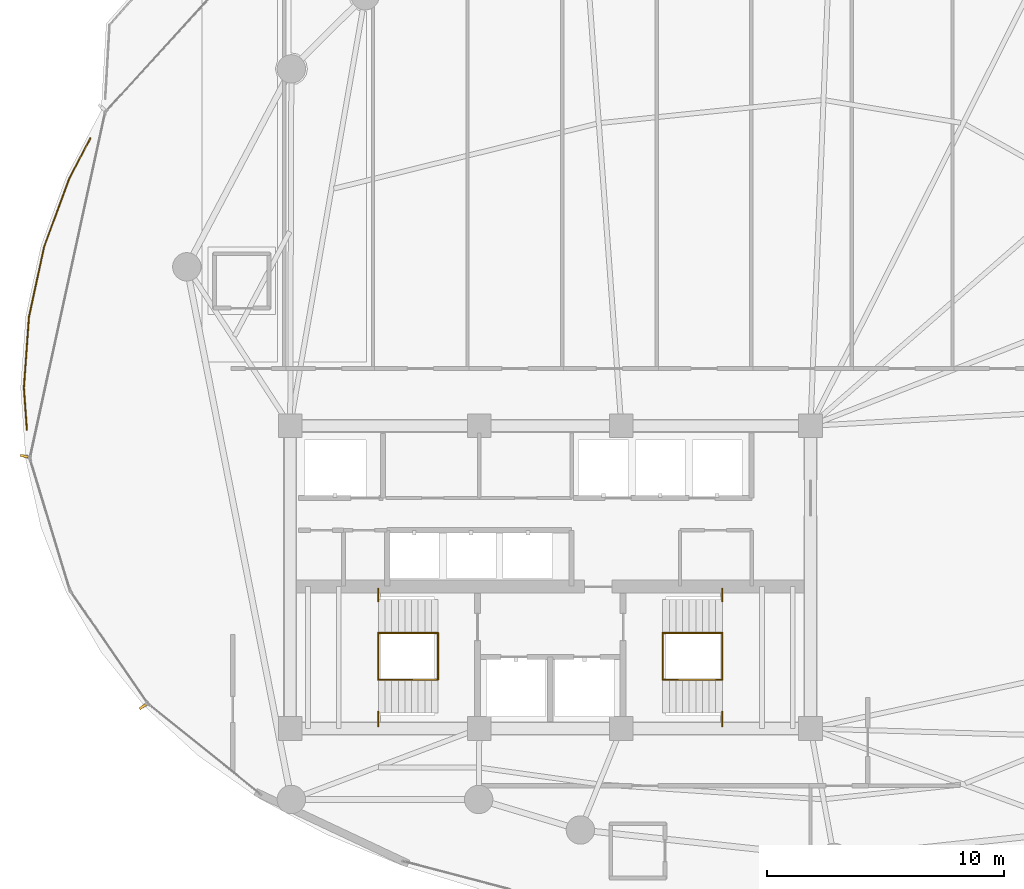
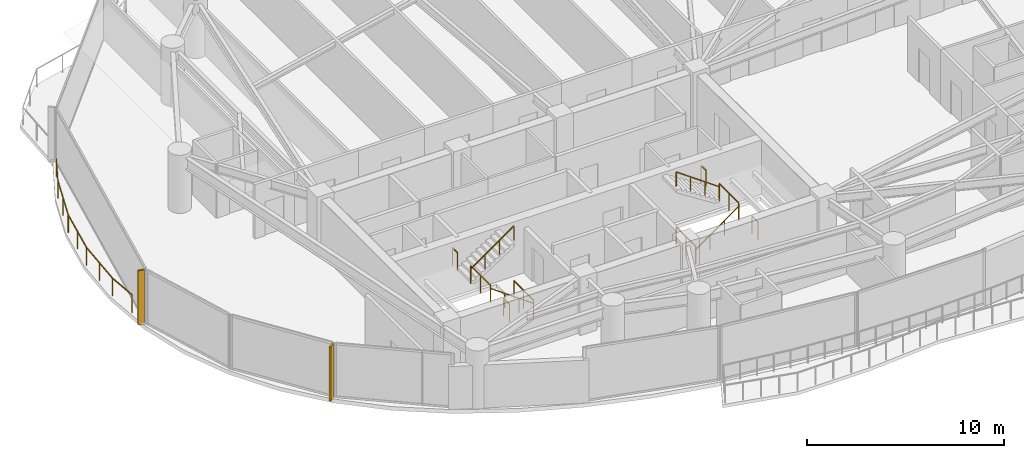
# One storey, part 31 of 34: 13 railings, 2 shading devices.
"""IFC4 building model written with IfcOpenShell, lengths in metres."""

from ifc_helpers import new_model, si_unit, direction, frame, origin, origin_2d, place, context, subcontext, project, spatial, rectangle, extrude, material, type_object, element, save


model = new_model("IFC4")

# Units and contexts
model_context = context("Model", 3, precision=1e-05, world=origin(), true_north=direction((0.0, 1.0)))
body_context = subcontext(model_context, "Body", "Model", "MODEL_VIEW")
ifc_project = project(units=[si_unit("LENGTHUNIT", "METRE"), si_unit("AREAUNIT", "SQUARE_METRE"), si_unit("VOLUMEUNIT", "CUBIC_METRE"), si_unit("PLANEANGLEUNIT", "RADIAN"), si_unit("MASSUNIT", "GRAM", prefix="KILO")], contexts=[model_context])

# Site, building, storey
site_placement = place(None, origin())
site = spatial("IfcSite", under=ifc_project, at=site_placement, CompositionType="ELEMENT")
building_placement = place(site_placement, origin())
building = spatial("IfcBuilding", under=site, at=building_placement, Name="Kazevale Care Tower and Concert Hall", CompositionType="ELEMENT")
storey_placement = place(building_placement, frame((0.0, 0.0, 167.39990234375)))
storey = spatial("IfcBuildingStorey", under=building, at=storey_placement, Name="L44", CompositionType="ELEMENT", Elevation=167.39990234375)

# Railings
ifc_material_1 = material(Name="Anodised Bronze Aluminium and Laminated Glass", Category="aluminium")
railing_type_1 = type_object("IfcRailingType", Name="Balcony and Terrace Balustrade 1120", PredefinedType="BALUSTRADE", material=ifc_material_1)
railing_1_placement = place(storey_placement, frame((10.867919921875, 36.22705078125, 0.0)))
element("IfcRailing", 1, at=railing_1_placement, inside=storey, type_object=railing_type_1, Name="rail:L44:perim:1", PredefinedType="BALUSTRADE", context=body_context, shape_type="SweptSolid", body=[
    extrude(rectangle(XDim=0.048095703125, YDim=0.048095703125, at=origin_2d()), frame((0.0, 0.0, 1.09619140625), z_axis=(-0.071969318028, 0.997406846409, 0.0), x_axis=(-0.997406846409, -0.071969318028, 0.0)), (0.0, 0.0, 1.0), 1.777587890625),
    extrude(rectangle(XDim=0.048095703125, YDim=0.048095703125, at=origin_2d()), frame((-0.1279296875, 1.77294921875, 1.09619140625), z_axis=(0.071442989214, 0.997444684828, 0.0), x_axis=(-0.997444684828, 0.071442989214, 0.0)), (0.0, 0.0, 1.0), 3.0107421875),
    extrude(rectangle(XDim=0.048095703125, YDim=0.048095703125, at=origin_2d()), frame((0.087158203125, 4.77587890625, 1.09619140625), z_axis=(0.211501042265, 0.97737777196, 0.0), x_axis=(-0.97737777196, 0.211501042265, 0.0)), (0.0, 0.0, 1.0), 3.03466796875),
    extrude(rectangle(XDim=0.048095703125, YDim=0.048095703125, at=origin_2d()), frame((0.72900390625, 7.741943359375, 1.09619140625), z_axis=(0.344808910619, 0.938672901046, 0.0), x_axis=(-0.938672901046, 0.344808910619, 0.0)), (0.0, 0.0, 1.0), 3.080078125),
    extrude(rectangle(XDim=0.048095703125, YDim=0.048095703125, at=origin_2d()), frame((1.791015625, 10.633056640625, 1.09619140625), z_axis=(0.466764151967, 0.884381832942, 0.0), x_axis=(-0.884381832942, 0.466764151967, 0.0)), (0.0, 0.0, 1.0), 1.91748046875),
    extrude(rectangle(XDim=0.0419921875, YDim=0.0419921875, at=origin_2d()), origin(), (0.0, 0.0, 1.0), 1.072021484375),
    extrude(rectangle(XDim=0.0419921875, YDim=0.0419921875, at=origin_2d()), frame((-0.1279296875, 1.77294921875, 0.0)), (0.0, 0.0, 1.0), 1.072021484375),
    extrude(rectangle(XDim=0.0419921875, YDim=0.0419921875, at=origin_2d()), frame((-0.0205078125, 3.2744140625, 0.0)), (0.0, 0.0, 1.0), 1.072021484375),
    extrude(rectangle(XDim=0.0419921875, YDim=0.0419921875, at=origin_2d()), frame((0.087158203125, 4.77587890625, 0.0)), (0.0, 0.0, 1.0), 1.072021484375),
    extrude(rectangle(XDim=0.0419921875, YDim=0.0419921875, at=origin_2d()), frame((0.408203125, 6.2587890625, 0.0)), (0.0, 0.0, 1.0), 1.072021484375),
    extrude(rectangle(XDim=0.0419921875, YDim=0.0419921875, at=origin_2d()), frame((0.72900390625, 7.741943359375, 0.0)), (0.0, 0.0, 1.0), 1.072021484375),
    extrude(rectangle(XDim=0.0419921875, YDim=0.0419921875, at=origin_2d()), frame((1.260009765625, 9.1875, 0.0)), (0.0, 0.0, 1.0), 1.072021484375),
    extrude(rectangle(XDim=0.0419921875, YDim=0.0419921875, at=origin_2d()), frame((1.791015625, 10.633056640625, 0.0)), (0.0, 0.0, 1.0), 1.072021484375),
    extrude(rectangle(XDim=0.0419921875, YDim=0.0419921875, at=origin_2d()), frame((2.68603515625, 12.328857421875, 0.0)), (0.0, 0.0, 1.0), 1.072021484375),
])
ifc_material_2 = material(Name="Stainless Steel 316", Category="steel")
railing_type_2 = type_object("IfcRailingType", Name="Stair Pitch Handrail 920", PredefinedType="HANDRAIL", material=ifc_material_2)
railing_2_placement = place(storey_placement, frame((28.25, 25.659912109375, 0.0)))
element("IfcRailing", 2, at=railing_2_placement, inside=storey, type_object=railing_type_2, Name="stair:L44:ST1:hr1", PredefinedType="HANDRAIL", context=body_context, shape_type="SweptSolid", body=[
    extrude(rectangle(XDim=0.048095703125, YDim=0.048095703125, at=origin_2d()), frame((0.0, 0.0, 0.89599609375), z_axis=(-0.813728144527, 0.0, 0.581245650998), x_axis=(0.0, -1.0, 0.0)), (0.0, 0.0, 1.0), 3.096923828125),
    extrude(rectangle(XDim=0.0419921875, YDim=0.0419921875, at=origin_2d()), origin(), (0.0, 0.0, 1.0), 0.871826171875),
    extrude(rectangle(XDim=0.0419921875, YDim=0.0419921875, at=origin_2d()), frame((-0.840087890625, 0.0, 0.60009765625)), (0.0, 0.0, 1.0), 0.871826171875),
    extrude(rectangle(XDim=0.0419921875, YDim=0.0419921875, at=origin_2d()), frame((-1.679931640625, 0.0, 1.199951171875)), (0.0, 0.0, 1.0), 0.871826171875),
    extrude(rectangle(XDim=0.0419921875, YDim=0.0419921875, at=origin_2d()), frame((-2.52001953125, 0.0, 1.800048828125)), (0.0, 0.0, 1.0), 0.871826171875),
])
for number, where, name in (
    (3, (25.72998046875, 27.639892578125, 1.800048828125), "stair:L44:ST1:hr2"),
    (4, (37.75, 25.659912109375, 0.0), "stair:L44:ST2:hr1"),
):
    element("IfcRailing", number, at=place(storey_placement, frame(where)), inside=storey, type_object=railing_type_2, Name=name, PredefinedType="HANDRAIL", context=body_context, shape_type="SweptSolid", body=[
        extrude(rectangle(XDim=0.048095703125, YDim=0.048095703125, at=origin_2d()), frame((0.0, 0.0, 0.89599609375), z_axis=(0.813728144527, 0.0, 0.581245650998), x_axis=(0.0, 1.0, 0.0)), (0.0, 0.0, 1.0), 3.096923828125),
        extrude(rectangle(XDim=0.0419921875, YDim=0.0419921875, at=origin_2d()), origin(), (0.0, 0.0, 1.0), 0.871826171875),
        extrude(rectangle(XDim=0.0419921875, YDim=0.0419921875, at=origin_2d()), frame((0.840087890625, 0.0, 0.60009765625)), (0.0, 0.0, 1.0), 0.871826171875),
        extrude(rectangle(XDim=0.0419921875, YDim=0.0419921875, at=origin_2d()), frame((1.679931640625, 0.0, 1.199951171875)), (0.0, 0.0, 1.0), 0.871826171875),
        extrude(rectangle(XDim=0.0419921875, YDim=0.0419921875, at=origin_2d()), frame((2.52001953125, 0.0, 1.800048828125)), (0.0, 0.0, 1.0), 0.871826171875),
    ])
railing_3_placement = place(storey_placement, frame((40.27001953125, 27.639892578125, 1.800048828125)))
element("IfcRailing", 5, at=railing_3_placement, inside=storey, type_object=railing_type_2, Name="stair:L44:ST2:hr2", PredefinedType="HANDRAIL", context=body_context, shape_type="SweptSolid", body=[
    extrude(rectangle(XDim=0.048095703125, YDim=0.048095703125, at=origin_2d()), frame((0.0, 0.0, 0.89599609375), z_axis=(-0.813728144527, 0.0, 0.581245650998), x_axis=(0.0, -1.0, 0.0)), (0.0, 0.0, 1.0), 3.096923828125),
    extrude(rectangle(XDim=0.0419921875, YDim=0.0419921875, at=origin_2d()), origin(), (0.0, 0.0, 1.0), 0.871826171875),
    extrude(rectangle(XDim=0.0419921875, YDim=0.0419921875, at=origin_2d()), frame((-0.840087890625, 0.0, 0.60009765625)), (0.0, 0.0, 1.0), 0.871826171875),
    extrude(rectangle(XDim=0.0419921875, YDim=0.0419921875, at=origin_2d()), frame((-1.679931640625, 0.0, 1.199951171875)), (0.0, 0.0, 1.0), 0.871826171875),
    extrude(rectangle(XDim=0.0419921875, YDim=0.0419921875, at=origin_2d()), frame((-2.52001953125, 0.0, 1.800048828125)), (0.0, 0.0, 1.0), 0.871826171875),
])
railing_type_3 = type_object("IfcRailingType", Name="Stair Well Guard Balustrade 1120", PredefinedType="BALUSTRADE", material=ifc_material_2)
railing_4_placement = place(storey_placement, frame((25.72998046875, 23.699951171875, 1.800048828125)))
element("IfcRailing", 6, at=railing_4_placement, inside=storey, type_object=railing_type_3, Name="stair:L44:ST1:grd_side1", PredefinedType="BALUSTRADE", context=body_context, shape_type="SweptSolid", body=[
    extrude(rectangle(XDim=0.048095703125, YDim=0.048095703125, at=origin_2d()), frame((0.0, 0.0, 1.09619140625), z_axis=(0.0, 1.0, 0.0), x_axis=(-1.0, 0.0, 0.0)), (0.0, 0.0, 1.0), 0.610107421875),
    extrude(rectangle(XDim=0.0419921875, YDim=0.0419921875, at=origin_2d()), origin(), (0.0, 0.0, 1.0), 1.072021484375),
    extrude(rectangle(XDim=0.0419921875, YDim=0.0419921875, at=origin_2d()), frame((0.0, 0.610107421875, 0.0)), (0.0, 0.0, 1.0), 1.072021484375),
])
railing_5_placement = place(storey_placement, frame((25.72998046875, 28.989990234375, 1.800048828125)))
element("IfcRailing", 7, at=railing_5_placement, inside=storey, type_object=railing_type_3, Name="stair:L44:ST1:grd_side2", PredefinedType="BALUSTRADE", context=body_context, shape_type="SweptSolid", body=[
    extrude(rectangle(XDim=0.048095703125, YDim=0.048095703125, at=origin_2d()), frame((0.0, 0.0, 1.09619140625), z_axis=(0.0, 1.0, 0.0), x_axis=(-1.0, 0.0, 0.0)), (0.0, 0.0, 1.0), 0.510009765625),
    extrude(rectangle(XDim=0.0419921875, YDim=0.0419921875, at=origin_2d()), origin(), (0.0, 0.0, 1.0), 1.072021484375),
    extrude(rectangle(XDim=0.0419921875, YDim=0.0419921875, at=origin_2d()), frame((0.0, 0.510009765625, 0.0)), (0.0, 0.0, 1.0), 1.072021484375),
])
for number, where, name in (
    (8, (25.72998046875, 25.659912109375, 1.800048828125), "stair:L44:ST1:grd_mid"),
    (9, (28.25, 25.659912109375, 0.0), "stair:L44:ST1:grd_flr"),
):
    element("IfcRailing", number, at=place(storey_placement, frame(where)), inside=storey, type_object=railing_type_3, Name=name, PredefinedType="BALUSTRADE", context=body_context, shape_type="SweptSolid", body=[
        extrude(rectangle(XDim=0.048095703125, YDim=0.048095703125, at=origin_2d()), frame((0.0, 0.0, 1.09619140625), z_axis=(0.0, 1.0, 0.0), x_axis=(-1.0, 0.0, 0.0)), (0.0, 0.0, 1.0), 1.97998046875),
        extrude(rectangle(XDim=0.0419921875, YDim=0.0419921875, at=origin_2d()), origin(), (0.0, 0.0, 1.0), 1.072021484375),
        extrude(rectangle(XDim=0.0419921875, YDim=0.0419921875, at=origin_2d()), frame((0.0, 0.989990234375, 0.0)), (0.0, 0.0, 1.0), 1.072021484375),
        extrude(rectangle(XDim=0.0419921875, YDim=0.0419921875, at=origin_2d()), frame((0.0, 1.97998046875, 0.0)), (0.0, 0.0, 1.0), 1.072021484375),
    ])
railing_6_placement = place(storey_placement, frame((40.27001953125, 23.699951171875, 1.800048828125)))
element("IfcRailing", 10, at=railing_6_placement, inside=storey, type_object=railing_type_3, Name="stair:L44:ST2:grd_side1", PredefinedType="BALUSTRADE", context=body_context, shape_type="SweptSolid", body=[
    extrude(rectangle(XDim=0.048095703125, YDim=0.048095703125, at=origin_2d()), frame((0.0, 0.0, 1.09619140625), z_axis=(0.0, 1.0, 0.0), x_axis=(-1.0, 0.0, 0.0)), (0.0, 0.0, 1.0), 0.610107421875),
    extrude(rectangle(XDim=0.0419921875, YDim=0.0419921875, at=origin_2d()), origin(), (0.0, 0.0, 1.0), 1.072021484375),
    extrude(rectangle(XDim=0.0419921875, YDim=0.0419921875, at=origin_2d()), frame((0.0, 0.610107421875, 0.0)), (0.0, 0.0, 1.0), 1.072021484375),
])
railing_7_placement = place(storey_placement, frame((40.27001953125, 28.989990234375, 1.800048828125)))
element("IfcRailing", 11, at=railing_7_placement, inside=storey, type_object=railing_type_3, Name="stair:L44:ST2:grd_side2", PredefinedType="BALUSTRADE", context=body_context, shape_type="SweptSolid", body=[
    extrude(rectangle(XDim=0.048095703125, YDim=0.048095703125, at=origin_2d()), frame((0.0, 0.0, 1.09619140625), z_axis=(0.0, 1.0, 0.0), x_axis=(-1.0, 0.0, 0.0)), (0.0, 0.0, 1.0), 0.510009765625),
    extrude(rectangle(XDim=0.0419921875, YDim=0.0419921875, at=origin_2d()), origin(), (0.0, 0.0, 1.0), 1.072021484375),
    extrude(rectangle(XDim=0.0419921875, YDim=0.0419921875, at=origin_2d()), frame((0.0, 0.510009765625, 0.0)), (0.0, 0.0, 1.0), 1.072021484375),
])
for number, where, name in (
    (12, (40.27001953125, 25.659912109375, 1.800048828125), "stair:L44:ST2:grd_mid"),
    (13, (37.75, 25.659912109375, 0.0), "stair:L44:ST2:grd_flr"),
):
    element("IfcRailing", number, at=place(storey_placement, frame(where)), inside=storey, type_object=railing_type_3, Name=name, PredefinedType="BALUSTRADE", context=body_context, shape_type="SweptSolid", body=[
        extrude(rectangle(XDim=0.048095703125, YDim=0.048095703125, at=origin_2d()), frame((0.0, 0.0, 1.09619140625), z_axis=(0.0, 1.0, 0.0), x_axis=(-1.0, 0.0, 0.0)), (0.0, 0.0, 1.0), 1.97998046875),
        extrude(rectangle(XDim=0.0419921875, YDim=0.0419921875, at=origin_2d()), origin(), (0.0, 0.0, 1.0), 1.072021484375),
        extrude(rectangle(XDim=0.0419921875, YDim=0.0419921875, at=origin_2d()), frame((0.0, 0.989990234375, 0.0)), (0.0, 0.0, 1.0), 1.072021484375),
        extrude(rectangle(XDim=0.0419921875, YDim=0.0419921875, at=origin_2d()), frame((0.0, 1.97998046875, 0.0)), (0.0, 0.0, 1.0), 1.072021484375),
    ])

# Shading devices
ifc_material_3 = material(Name="Anodised Bronze Aluminium", Category="aluminium")
shading_device_type = type_object("IfcShadingDeviceType", Name="Waist Anodised Bronze-Stone Fin FIN-02", PredefinedType="USERDEFINED", material=ifc_material_3)
for number, where, z_axis, x_axis, name in (
    (14, (15.7705078125, 24.525634765625, 0.0), (0.0, 0.0, 1.0), (-0.823334533242, -0.567556381667, 0.0), "cw:L44:f11:fin"),
    (15, (10.75341796875, 35.11767578125, 0.0), (0.0, 0.0, 1.0), (-0.97708274037, 0.212859856409, 0.0), "cw:L44:f13:fin"),
):
    element("IfcShadingDevice", number, at=place(storey_placement, frame(where, z_axis=z_axis, x_axis=x_axis)), inside=storey, type_object=shading_device_type, Name=name, ObjectType="FIN", PredefinedType="USERDEFINED", context=body_context, shape_type="SweptSolid", body=[
        extrude(rectangle(XDim=0.340087890625, YDim=0.10009765625, at=origin_2d()), origin(), (0.0, 0.0, 1.0), 3.360107421875),
    ])

save(model, "model.ifc")
